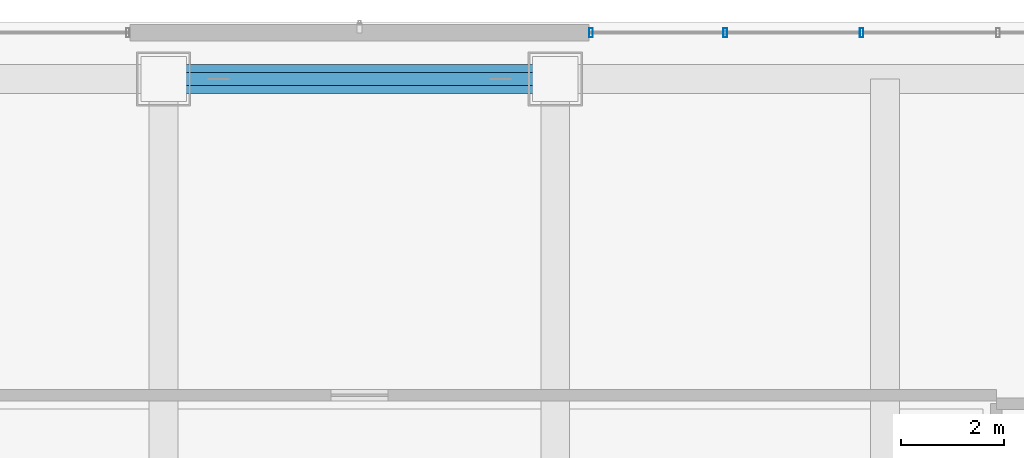
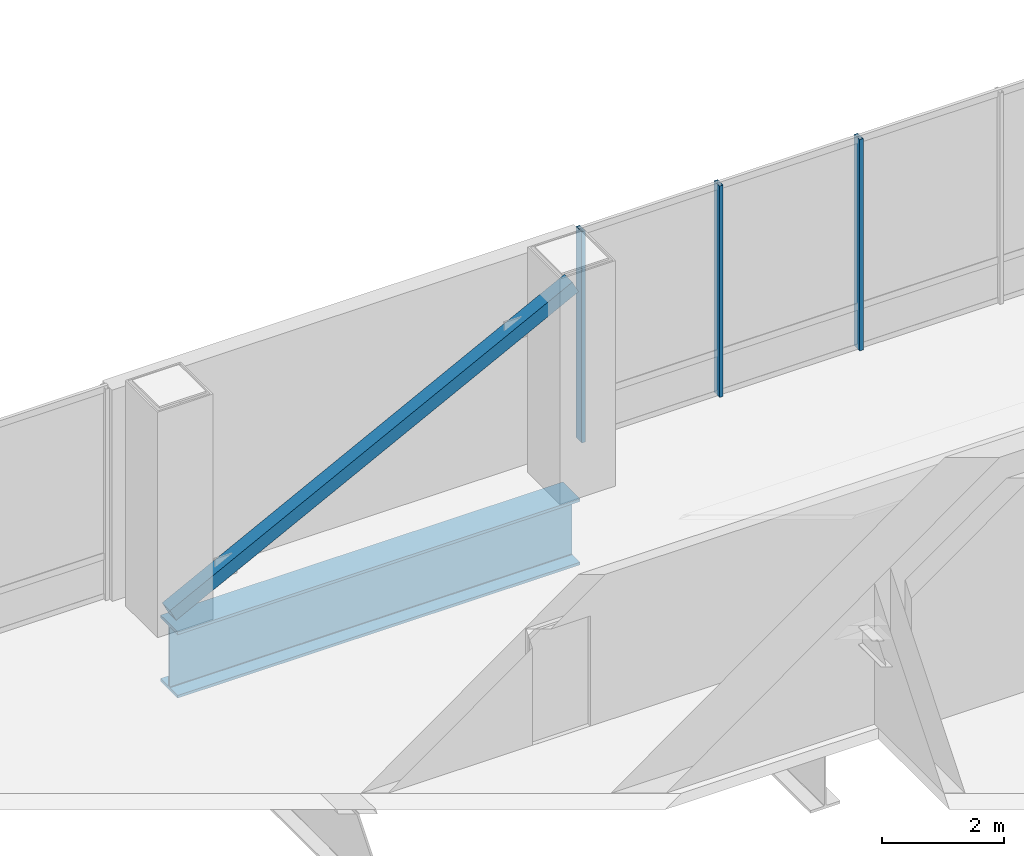
# One storey, part 22 of 33: 4 members, 1 beam, 1 element without a shape of its own.
"""IFC4 building model written with IfcOpenShell, lengths in metres."""

from ifc_helpers import new_model, si_unit, direction, frame, origin, origin_2d, place, context, subcontext, project, spatial, hollow_rectangle, i_section, extrude, material, material_profile, profile_set, type_object, element, aggregate, save


model = new_model("IFC4")

# Units and contexts
model_context = context("Model", 3, precision=1e-05, world=origin(), true_north=direction((0.0, 1.0)))
body_context = subcontext(model_context, "Body", "Model", "MODEL_VIEW")
ifc_project = project(units=[si_unit("LENGTHUNIT", "METRE"), si_unit("AREAUNIT", "SQUARE_METRE"), si_unit("VOLUMEUNIT", "CUBIC_METRE"), si_unit("PLANEANGLEUNIT", "RADIAN"), si_unit("MASSUNIT", "GRAM", prefix="KILO")], contexts=[model_context])

# Site, building, storey
site_placement = place(None, origin())
site = spatial("IfcSite", under=ifc_project, at=site_placement, CompositionType="ELEMENT")
building_placement = place(site_placement, origin())
building = spatial("IfcBuilding", under=site, at=building_placement, Name="Punatoya Terracotta Tower", CompositionType="ELEMENT")
storey_placement = place(building_placement, frame((0.0, 0.0, 348.300048828125)))
storey = spatial("IfcBuildingStorey", under=building, at=storey_placement, Name="L82", CompositionType="ELEMENT", Elevation=348.300048828125)

# Beam
ifc_material_1 = material(Name="Steel S460", Category="steel")
ifc_material_profile_1 = material_profile(ifc_material_1, i_section(OverallWidth=0.56005859375, OverallDepth=1.320068359375, WebThickness=0.035888671875, FlangeThickness=0.054931640625, FilletRadius=0.01806640625, at=origin_2d()))
ifc_profile_set_1 = profile_set([ifc_material_profile_1], Name="Steel S460")
beam_type = type_object("IfcBeamType", Name="BM-TG-BLK", PredefinedType="BEAM", material=ifc_profile_set_1)
beam_placement = place(storey_placement, frame((-3.800048828125, 17.5, -0.880126953125), z_axis=(1.0, 0.0, 0.0), x_axis=(0.0, 1.0, 0.0)))
element("IfcBeam", 1, at=beam_placement, inside=storey, type_object=beam_type, Name="BM-L82-RG-N2", PredefinedType="BEAM", context=body_context, shape_type="SweptSolid", body=[
    extrude(i_section(OverallWidth=0.56005859375, OverallDepth=1.320068359375, WebThickness=0.035888671875, FlangeThickness=0.054931640625, FilletRadius=0.01806640625, at=origin_2d()), origin(), (0.0, 0.0, 1.0), 7.60009765625),
])

# Curtain wall, members
ifc_material_2 = material(Name="Aluminium 6063-T6 + Double Low-E Glass", Category="aluminium")
curtain_wall_type = type_object("IfcCurtainWallType", Name="CW-CRN", PredefinedType="NOTDEFINED", material=ifc_material_2)
curtain_wall_placement = place(storey_placement, origin())
curtain_wall = element("IfcCurtainWall", 2, at=curtain_wall_placement, inside=storey, type_object=curtain_wall_type, Name="L82 Curtain Wall CW-L82-N09-1", PredefinedType="NOTDEFINED")
ifc_material_3 = material(Name="Aluminium 6063-T6", Category="aluminium")
ifc_material_profile_2 = material_profile(ifc_material_3, hollow_rectangle(XDim=0.070068359375, YDim=0.179931640625, WallThickness=0.00390625, at=origin_2d()))
ifc_profile_set_2 = profile_set([ifc_material_profile_2], Name="Aluminium 6063-T6")
member_type_1 = type_object("IfcMemberType", Name="CW-MUL-M3", PredefinedType="MULLION", material=ifc_profile_set_2)
member_1_placement = place(storey_placement, frame((9.744873046875, 18.39990234375, 0.0), z_axis=(0.0, 0.0, 1.0), x_axis=(1.0, 0.0, 0.0)))
member_1 = element("IfcMember", 3, at=member_1_placement, type_object=member_type_1, Name="CW-L82-N09-1 Mullion 03", PredefinedType="MULLION", context=body_context, shape_type="SweptSolid", body=[
    extrude(hollow_rectangle(XDim=0.070068359375, YDim=0.179931640625, WallThickness=0.00390625, at=origin_2d()), origin(), (0.0, 0.0, 1.0), 4.219970703125),
])
member_2_placement = place(storey_placement, frame((7.097412109375, 18.39990234375, 0.0), z_axis=(0.0, 0.0, 1.0), x_axis=(1.0, 0.0, 0.0)))
member_2 = element("IfcMember", 4, at=member_2_placement, type_object=member_type_1, Name="CW-L82-N09-1 Mullion 04", PredefinedType="MULLION", context=body_context, shape_type="SweptSolid", body=[
    extrude(hollow_rectangle(XDim=0.070068359375, YDim=0.179931640625, WallThickness=0.00390625, at=origin_2d()), origin(), (0.0, 0.0, 1.0), 4.219970703125),
])
member_3_placement = place(storey_placement, frame((4.4951171875, 18.39990234375, 0.0), z_axis=(0.0, 0.0, 1.0), x_axis=(1.0, 0.0, 0.0)))
member_3 = element("IfcMember", 5, at=member_3_placement, type_object=member_type_1, Name="CW-L82-N09-1 Mullion 05", PredefinedType="MULLION", context=body_context, shape_type="SweptSolid", body=[
    extrude(hollow_rectangle(XDim=0.070068359375, YDim=0.179931640625, WallThickness=0.00390625, at=origin_2d()), origin(), (0.0, 0.0, 1.0), 4.219970703125),
])
aggregate(curtain_wall, [member_1, member_2, member_3])

# Member
ifc_material_4 = material(Name="Steel S355", Category="steel")
ifc_material_profile_3 = material_profile(ifc_material_4, hollow_rectangle(XDim=0.260009765625, YDim=0.260009765625, WallThickness=0.013916015625, at=origin_2d()))
ifc_profile_set_3 = profile_set([ifc_material_profile_3], Name="Steel S355")
member_type_2 = type_object("IfcMemberType", Name="MEM-CRN-260", PredefinedType="BRACE", material=ifc_profile_set_3)
member_4_placement = place(storey_placement, frame((-3.800048828125, 17.5, 0.02001953125), z_axis=(0.889702578103, 0.0, 0.456540603361), x_axis=(0.0, 1.0, 0.0)))
element("IfcMember", 6, at=member_4_placement, inside=storey, type_object=member_type_2, Name="L82 Crown Frame Wind Brace N", PredefinedType="BRACE", context=body_context, shape_type="SweptSolid", body=[
    extrude(hollow_rectangle(XDim=0.260009765625, YDim=0.260009765625, WallThickness=0.013916015625, at=origin_2d()), origin(), (0.0, 0.0, 1.0), 8.542236328125),
])

save(model, "model.ifc")
